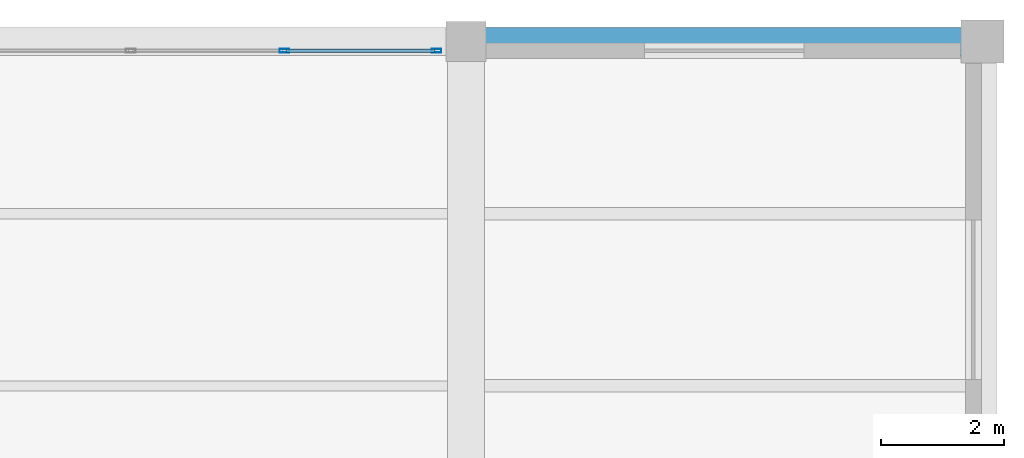
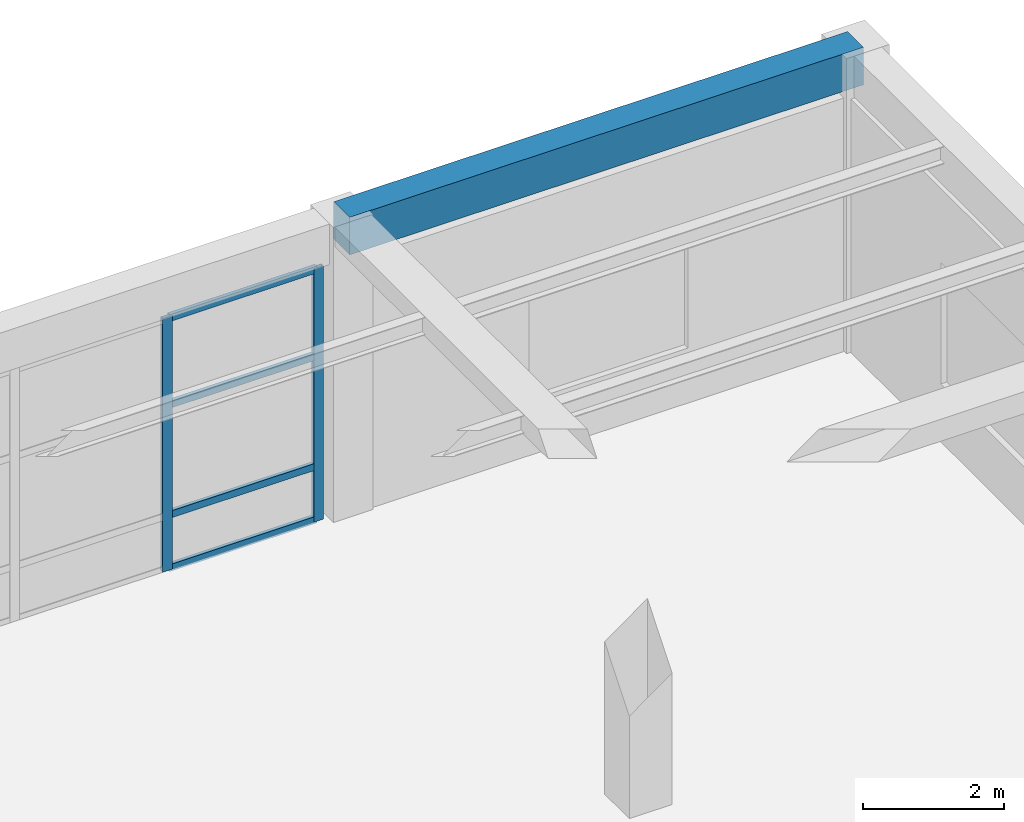
# One storey, part 67 of 95: 6 members, 1 beam, 1 element without a shape of its own.
"""IFC4 building model written with IfcOpenShell, lengths in metres."""

from ifc_helpers import new_model, si_unit, direction, frame, origin, origin_2d, place, context, subcontext, project, spatial, rectangle, hollow_rectangle, extrude, material, material_profile, profile_set, type_object, element, aggregate, save


model = new_model("IFC4")

# Units and contexts
model_context = context("Model", 3, precision=1e-05, world=origin(), true_north=direction((0.0, 1.0)))
body_context = subcontext(model_context, "Body", "Model", "MODEL_VIEW")
ifc_project = project(units=[si_unit("LENGTHUNIT", "METRE"), si_unit("AREAUNIT", "SQUARE_METRE"), si_unit("VOLUMEUNIT", "CUBIC_METRE"), si_unit("PLANEANGLEUNIT", "RADIAN"), si_unit("MASSUNIT", "GRAM", prefix="KILO")], contexts=[model_context])

# Site, building, storey
site_placement = place(None, origin())
site = spatial("IfcSite", under=ifc_project, at=site_placement, CompositionType="ELEMENT")
building_placement = place(site_placement, origin())
building = spatial("IfcBuilding", under=site, at=building_placement, Name="Almacenes y Pasaje Nevantli", CompositionType="ELEMENT")
storey_placement = place(building_placement, frame((0.0, 0.0, 11.39990234375)))
storey = spatial("IfcBuildingStorey", under=building, at=storey_placement, Name="L03", CompositionType="ELEMENT", Elevation=11.39990234375)

# Beam
ifc_material_1 = material(Name="Concrete C35/45", Category="concrete")
ifc_material_profile_1 = material_profile(ifc_material_1, rectangle(XDim=0.449951171875, YDim=0.64990234375, at=origin_2d()), Name="RC-BM-450x650")
ifc_profile_set_1 = profile_set([ifc_material_profile_1], Name="Concrete C35/45")
beam_type = type_object("IfcBeamType", Name="BM-RC-450x650", PredefinedType="SPANDREL", material=ifc_profile_set_1)
beam_placement = place(storey_placement, frame((159.60009765625, 117.60009765625, 4.775146484375), z_axis=(1.0, 0.0, 0.0), x_axis=(0.0, 1.0, 0.0)))
element("IfcBeam", 1, at=beam_placement, inside=storey, type_object=beam_type, Name="L03 East-West Reinforced Concrete Beam #2479", PredefinedType="SPANDREL", context=body_context, shape_type="SweptSolid", body=[
    extrude(rectangle(XDim=0.449951171875, YDim=0.64990234375, at=origin_2d()), origin(), (0.0, 0.0, 1.0), 8.39990234375),
])

# Curtain wall, members
ifc_material_2 = material(Name="Thermally Broken Aluminium and Low-E Glass", Category="aluminium")
curtain_wall_type = type_object("IfcCurtainWallType", Name="CW-STF-BLVD", PredefinedType="USERDEFINED", material=ifc_material_2)
curtain_wall_placement = place(storey_placement, origin())
curtain_wall = element("IfcCurtainWall", 2, at=curtain_wall_placement, inside=storey, type_object=curtain_wall_type, Name="L03 North Boulevard Retail Curtain Wall Bay 19", ObjectType="STOREFRONT GLAZING", PredefinedType="USERDEFINED")
ifc_material_3 = material(Name="Thermally Broken Anodized Aluminium", Category="aluminium")
ifc_material_profile_2 = material_profile(ifc_material_3, hollow_rectangle(XDim=0.06005859375, YDim=0.159912109375, WallThickness=0.00390625, at=origin_2d()), Name="ALU-MUL-60x160")
ifc_profile_set_2 = profile_set([ifc_material_profile_2], Name="Thermally Broken Anodized Aluminium")
member_type_1 = type_object("IfcMemberType", Name="CW-MUL-180", PredefinedType="MULLION", material=ifc_profile_set_2)
member_1_placement = place(storey_placement, frame((156.64990234375, 117.449951171875, 0.0), z_axis=(0.0, 0.0, 1.0), x_axis=(0.0, 1.0, 0.0)))
member_1 = element("IfcMember", 3, at=member_1_placement, type_object=member_type_1, Name="CW-L03-044 mullion 3", PredefinedType="MULLION", context=body_context, shape_type="SweptSolid", body=[
    extrude(hollow_rectangle(XDim=0.06005859375, YDim=0.159912109375, WallThickness=0.00390625, at=origin_2d()), origin(), (0.0, 0.0, 1.0), 4.380126953125),
])
member_2_placement = place(storey_placement, frame((159.1201171875, 117.449951171875, 0.0), z_axis=(0.0, 0.0, 1.0), x_axis=(0.0, 1.0, 0.0)))
member_2 = element("IfcMember", 4, at=member_2_placement, type_object=member_type_1, Name="CW-L03-044 mullion 4", PredefinedType="MULLION", context=body_context, shape_type="SweptSolid", body=[
    extrude(hollow_rectangle(XDim=0.06005859375, YDim=0.159912109375, WallThickness=0.00390625, at=origin_2d()), origin(), (0.0, 0.0, 1.0), 4.380126953125),
])
ifc_material_4 = material(Name="Thermally Broken Anodized Aluminium", Category="aluminium")
ifc_material_profile_3 = material_profile(ifc_material_4, hollow_rectangle(XDim=0.06005859375, YDim=0.1201171875, WallThickness=0.00341796875, at=origin_2d()), Name="ALU-TRN-60x120")
ifc_profile_set_3 = profile_set([ifc_material_profile_3], Name="Thermally Broken Anodized Aluminium")
member_type_2 = type_object("IfcMemberType", Name="CW-TRN-130", PredefinedType="USERDEFINED", material=ifc_profile_set_3)
member_3_placement = place(storey_placement, frame((156.679931640625, 117.449951171875, 0.030029296875), z_axis=(1.0, 0.0, 0.0), x_axis=(0.0, 1.0, 0.0)))
member_3 = element("IfcMember", 5, at=member_3_placement, type_object=member_type_2, Name="CW-L03-044 transom 3.1", ObjectType="TRANSOM", PredefinedType="USERDEFINED", context=body_context, shape_type="SweptSolid", body=[
    extrude(hollow_rectangle(XDim=0.06005859375, YDim=0.1201171875, WallThickness=0.00341796875, at=origin_2d()), origin(), (0.0, 0.0, 1.0), 2.41015625),
])
member_4_placement = place(storey_placement, frame((156.679931640625, 117.449951171875, 0.9501953125), z_axis=(1.0, 0.0, 0.0), x_axis=(0.0, 1.0, 0.0)))
member_4 = element("IfcMember", 6, at=member_4_placement, type_object=member_type_2, Name="CW-L03-044 transom 3.2", ObjectType="TRANSOM", PredefinedType="USERDEFINED", context=body_context, shape_type="SweptSolid", body=[
    extrude(hollow_rectangle(XDim=0.06005859375, YDim=0.1201171875, WallThickness=0.00341796875, at=origin_2d()), origin(), (0.0, 0.0, 1.0), 2.41015625),
])
member_5_placement = place(storey_placement, frame((156.679931640625, 117.449951171875, 2.85009765625), z_axis=(1.0, 0.0, 0.0), x_axis=(0.0, 1.0, 0.0)))
member_5 = element("IfcMember", 7, at=member_5_placement, type_object=member_type_2, Name="CW-L03-044 transom 3.3", ObjectType="TRANSOM", PredefinedType="USERDEFINED", context=body_context, shape_type="SweptSolid", body=[
    extrude(hollow_rectangle(XDim=0.06005859375, YDim=0.1201171875, WallThickness=0.00341796875, at=origin_2d()), origin(), (0.0, 0.0, 1.0), 2.41015625),
])
member_6_placement = place(storey_placement, frame((156.679931640625, 117.449951171875, 4.35009765625), z_axis=(1.0, 0.0, 0.0), x_axis=(0.0, 1.0, 0.0)))
member_6 = element("IfcMember", 8, at=member_6_placement, type_object=member_type_2, Name="CW-L03-044 transom 3.4", ObjectType="TRANSOM", PredefinedType="USERDEFINED", context=body_context, shape_type="SweptSolid", body=[
    extrude(hollow_rectangle(XDim=0.06005859375, YDim=0.1201171875, WallThickness=0.00341796875, at=origin_2d()), origin(), (0.0, 0.0, 1.0), 2.41015625),
])
aggregate(curtain_wall, [member_1, member_2, member_3, member_4, member_5, member_6])

save(model, "model.ifc")
